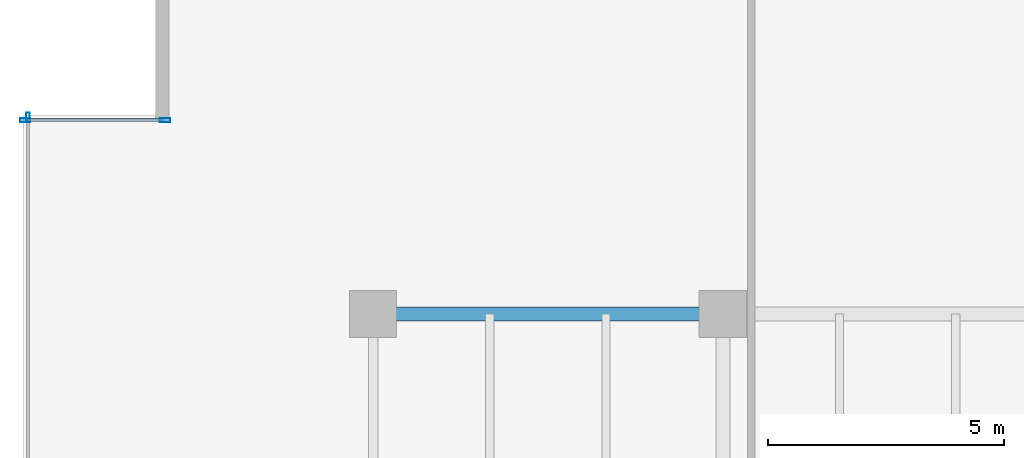
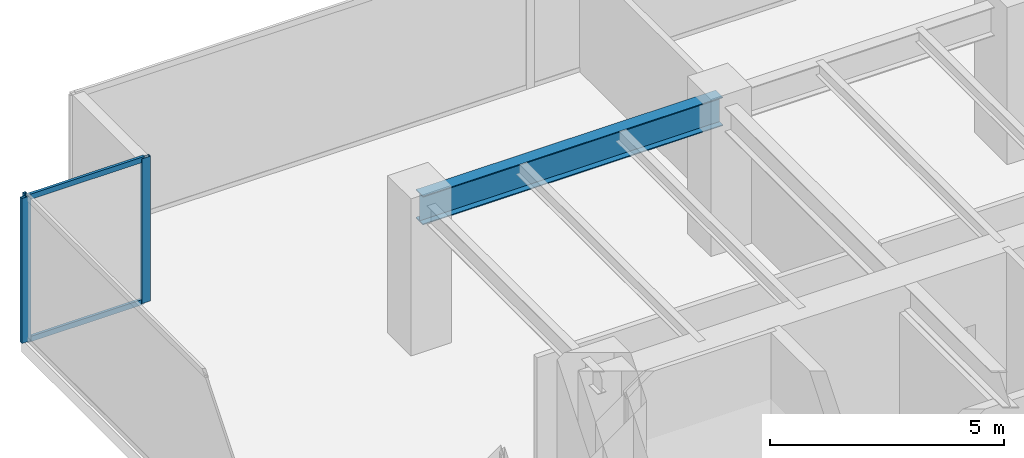
# One storey, part 12 of 35: 5 members, 1 beam, 2 elements without a shape of their own.
"""IFC4 building model written with IfcOpenShell, lengths in metres."""

import ifcopenshell
import ifcopenshell.guid

model = None  # the IFC model being written
_history = None  # IfcOwnerHistory: only IFC2X3 demands one
_inside = {}  # id of a spatial element -> (the spatial element, [elements in it])
_under = {}  # id of a project, library or spatial element -> (it, [spatial elements below it])
_declared = {}  # id of a project -> (the project, [libraries it declares])
_typed = {}  # id of a type object -> (the type object, [elements of that type])
_made_of = {}  # id of a material, layer set ... -> (it, [elements and type objects made of it])


def new_model(schema):
    """Start an empty IFC model of exactly this schema.

    Asked for "IFC4X3", IfcOpenShell would pick the latest addendum, in which some entities
    have other attributes; the version numbers below select the first issue.
    IFC2X3 requires an IfcOwnerHistory on every rooted entity: one is made here for all.
    """
    global model, _history
    if schema == "IFC4X3":
        model = ifcopenshell.file(schema_version=(4, 3, 0, 0))
    else:
        model = ifcopenshell.file(schema=schema)
    _inside.clear()
    _under.clear()
    _declared.clear()
    _typed.clear()
    _made_of.clear()
    _history = None
    if model.schema == "IFC2X3":
        org = make("IfcOrganization", Name="unknown")
        user = make(
            "IfcPersonAndOrganization",
            ThePerson=make("IfcPerson", FamilyName="unknown"),
            TheOrganization=org,
        )
        app = make(
            "IfcApplication",
            ApplicationDeveloper=org,
            Version="unknown",
            ApplicationFullName="unknown",
            ApplicationIdentifier="unknown",
        )
        _history = make(
            "IfcOwnerHistory",
            OwningUser=user,
            OwningApplication=app,
            ChangeAction="ADDED",
            CreationDate=0,
        )
    return model


def make(cls, **values):
    """One entity of the class cls with the attributes given. An attribute that is None is left unset."""
    return model.create_entity(
        cls, **{name: value for name, value in values.items() if value is not None}
    )


def rooted(cls, **values):
    """An entity with a GlobalId (a new one), such as an element, a storey or a relation."""
    return make(cls, GlobalId=ifcopenshell.guid.new(), OwnerHistory=_history, **values)


def si_unit(unit_type, name, prefix=None):
    """IfcSIUnit, for example si_unit("LENGTHUNIT", "METRE", prefix="MILLI")."""
    return make("IfcSIUnit", UnitType=unit_type, Prefix=prefix, Name=name)


def assignment(units):
    """IfcUnitAssignment: the units of a project."""
    return None if units is None else make("IfcUnitAssignment", Units=units)


def point(xyz):
    """IfcCartesianPoint."""
    return None if xyz is None else make("IfcCartesianPoint", Coordinates=xyz)


def direction(xyz):
    """IfcDirection."""
    return None if xyz is None else make("IfcDirection", DirectionRatios=xyz)


def frame(location, z_axis=None, x_axis=None):
    """IfcAxis2Placement3D, a coordinate frame: its origin and axes. An axis left out is left unset."""
    return make(
        "IfcAxis2Placement3D",
        Location=point(location),
        Axis=direction(z_axis),
        RefDirection=direction(x_axis),
    )


def frame_2d(location, x_axis=None):
    """IfcAxis2Placement2D, a coordinate frame in the plane: its origin and x axis."""
    return make(
        "IfcAxis2Placement2D", Location=point(location), RefDirection=direction(x_axis)
    )


def origin():
    """The frame at (0, 0, 0) with its axes left unset."""
    return frame((0.0, 0.0, 0.0))


def origin_2d():
    """The frame at (0, 0) in the plane with its x axis left unset."""
    return frame_2d((0.0, 0.0))


def place(relative_to, where):
    """IfcLocalPlacement: puts the frame where relative to a parent placement (None: the world)."""
    return make(
        "IfcLocalPlacement", PlacementRelTo=relative_to, RelativePlacement=where
    )


def context(
    kind, dimensions, precision=None, world=None, true_north=None, identifier=None
):
    """IfcGeometricRepresentationContext, for example the 3D "Model" context."""
    return make(
        "IfcGeometricRepresentationContext",
        ContextIdentifier=identifier,
        ContextType=kind,
        CoordinateSpaceDimension=dimensions,
        Precision=precision,
        WorldCoordinateSystem=world,
        TrueNorth=true_north,
    )


def subcontext(parent, identifier, kind, view, scale=None):
    """IfcGeometricRepresentationSubContext, for example "Body" below "Model"."""
    return make(
        "IfcGeometricRepresentationSubContext",
        ContextIdentifier=identifier,
        ContextType=kind,
        ParentContext=parent,
        TargetScale=scale,
        TargetView=view,
    )


def project(units=None, contexts=None):
    """IfcProject with its units and contexts."""
    return rooted(
        "IfcProject",
        Name="project",
        RepresentationContexts=contexts,
        UnitsInContext=assignment(units),
    )


def spatial(cls, under=None, at=None, **own):
    """A site, building, storey or space (cls), placed at a placement, below another one or the project."""
    s = rooted(cls, ObjectPlacement=at, **own)
    if under is not None:
        _under.setdefault(under.id(), (under, []))[1].append(s)
    return s


def profile(cls, at=None, kind="AREA", **sizes):
    """A parametric profile (cls). Its sizes go by their IFC names, for example OverallWidth=200.0."""
    return make(cls, ProfileType=kind, Position=at, **sizes)


def hollow_rectangle(**sizes):
    """IfcRectangleHollowProfileDef."""
    return profile("IfcRectangleHollowProfileDef", **sizes)


def i_section(**sizes):
    """IfcIShapeProfileDef."""
    return profile("IfcIShapeProfileDef", **sizes)


def extrude(swept, where, along, depth):
    """IfcExtrudedAreaSolid: the profile swept, set in the frame where, extruded along a direction by depth."""
    return make(
        "IfcExtrudedAreaSolid",
        SweptArea=swept,
        Position=where,
        ExtrudedDirection=direction(along),
        Depth=depth,
    )


def shape(context_of_items, identifier, shape_type, items):
    """IfcShapeRepresentation: the items that make up one representation, for example the "Body"."""
    return make(
        "IfcShapeRepresentation",
        ContextOfItems=context_of_items,
        RepresentationIdentifier=identifier,
        RepresentationType=shape_type,
        Items=items,
    )


def source(mapping_origin, context_of_items, identifier, shape_type, items):
    """IfcRepresentationMap: a shape defined once, which mapped items show again and again."""
    return make(
        "IfcRepresentationMap",
        MappingOrigin=mapping_origin,
        MappedRepresentation=shape(context_of_items, identifier, shape_type, items),
    )


def transform(
    local_origin,
    x_axis=None,
    y_axis=None,
    z_axis=None,
    scale=None,
    scale2=None,
    scale3=None,
    uniform=True,
):
    """IfcCartesianTransformationOperator3D, or its non-uniform kind. x_axis, y_axis, z_axis: its Axis1, 2, 3."""
    if uniform:
        return make(
            "IfcCartesianTransformationOperator3D",
            Axis1=direction(x_axis),
            Axis2=direction(y_axis),
            LocalOrigin=point(local_origin),
            Scale=scale,
            Axis3=direction(z_axis),
        )
    return make(
        "IfcCartesianTransformationOperator3DnonUniform",
        Axis1=direction(x_axis),
        Axis2=direction(y_axis),
        LocalOrigin=point(local_origin),
        Scale=scale,
        Axis3=direction(z_axis),
        Scale2=scale2,
        Scale3=scale3,
    )


def mapped(mapping_source, mapping_target):
    """IfcMappedItem: shows the shape of a source again, moved by a transform."""
    return make(
        "IfcMappedItem", MappingSource=mapping_source, MappingTarget=mapping_target
    )


def material(Name=None, Category=None):
    """IfcMaterial."""
    return make("IfcMaterial", Name=Name, Category=Category)


def layer(
    of_material, thickness, ventilated=None, Name=None, Category=None, Priority=None
):
    """IfcMaterialLayer: one layer of a wall or slab, of a material (None: an air gap)."""
    return make(
        "IfcMaterialLayer",
        Material=of_material,
        LayerThickness=thickness,
        IsVentilated=ventilated,
        Name=Name,
        Category=Category,
        Priority=Priority,
    )


def layer_set(layers, Name=None):
    """IfcMaterialLayerSet."""
    return make("IfcMaterialLayerSet", MaterialLayers=layers, LayerSetName=Name)


def material_profile(
    of_material, cross_section, Name=None, Category=None, Priority=None
):
    """IfcMaterialProfile: a cross section and its material."""
    return make(
        "IfcMaterialProfile",
        Name=Name,
        Material=of_material,
        Profile=cross_section,
        Priority=Priority,
        Category=Category,
    )


def profile_set(profiles, Name=None, composite=None):
    """IfcMaterialProfileSet."""
    return make(
        "IfcMaterialProfileSet",
        Name=Name,
        MaterialProfiles=profiles,
        CompositeProfile=composite,
    )


def made_of(thing, what):
    """Note that an element or type object is made of a material, layer set ...; save() writes the relation."""
    if what is not None:
        _made_of.setdefault(what.id(), (what, []))[1].append(thing)
    return thing


def type_object(cls, material=None, **own):
    """A type object (cls), such as IfcWallType, which elements share."""
    return made_of(rooted(cls, **own), material)


def type_shapes(of_type, sources):
    """Give a type object the sources (RepresentationMaps) that its elements show as mapped items."""
    of_type.RepresentationMaps = sources


def element(
    cls,
    number,
    at=None,
    inside=None,
    cuts=None,
    type_object=None,
    material=None,
    context=None,
    identifier="Body",
    shape_type=None,
    held_by="IfcProductDefinitionShape",
    body=None,
    shapes=None,
    **own,
):
    """One element of the class cls, such as IfcWall. Its Tag is "e" and its number.

    at: its placement. inside: the storey or other place that contains it. cuts: it is an
    opening in that element (IfcRelVoidsElement). A single representation is given by context,
    identifier, shape_type and body (its items); several are given by shapes. held_by: the class
    of the entity that holds the representations. save() writes the other relations.
    """
    e = rooted(cls, Tag="e%d" % number, ObjectPlacement=at, **own)
    if body is not None:
        shapes = [shape(context, identifier, shape_type, body)]
    if shapes is not None:
        e.Representation = make(held_by, Representations=shapes)
    if inside is not None:
        _inside.setdefault(inside.id(), (inside, []))[1].append(e)
    if cuts is not None:
        rooted(
            "IfcRelVoidsElement", RelatingBuildingElement=cuts, RelatedOpeningElement=e
        )
    if type_object is not None:
        _typed.setdefault(type_object.id(), (type_object, []))[1].append(e)
    return made_of(e, material)


def aggregate(whole, parts):
    """IfcRelAggregates: a whole, such as a stair, and the parts it consists of."""
    return rooted("IfcRelAggregates", RelatingObject=whole, RelatedObjects=parts)


def save(model, path):
    """Write the relations noted so far, then the file.

    IfcRelAggregates (storeys below a building ...), IfcRelContainedInSpatialStructure (elements
    in a storey), IfcRelDefinesByType, IfcRelAssociatesMaterial and IfcRelDeclares: one each for
    every whole, place, type object, material and project.
    """
    for whole, parts in _under.values():
        aggregate(whole, parts)
    for where, things in _inside.values():
        rooted(
            "IfcRelContainedInSpatialStructure",
            RelatedElements=things,
            RelatingStructure=where,
        )
    for kind, things in _typed.values():
        rooted("IfcRelDefinesByType", RelatedObjects=things, RelatingType=kind)
    for what, things in _made_of.values():
        rooted("IfcRelAssociatesMaterial", RelatedObjects=things, RelatingMaterial=what)
    for by, libraries in _declared.values():
        rooted("IfcRelDeclares", RelatingContext=by, RelatedDefinitions=libraries)
    model.write(path)


model = new_model("IFC4")

# Units and contexts
model_context = context("Model", 3, precision=1e-05, world=origin(), true_north=direction((0.0, 1.0)))
body_context = subcontext(model_context, "Body", "Model", "MODEL_VIEW")
ifc_project = project(units=[si_unit("LENGTHUNIT", "METRE"), si_unit("AREAUNIT", "SQUARE_METRE"), si_unit("VOLUMEUNIT", "CUBIC_METRE"), si_unit("PLANEANGLEUNIT", "RADIAN"), si_unit("MASSUNIT", "GRAM", prefix="KILO")], contexts=[model_context])

# Site, building, storey
site_placement = place(None, origin())
site = spatial("IfcSite", under=ifc_project, at=site_placement, CompositionType="ELEMENT")
building_placement = place(site_placement, origin())
building = spatial("IfcBuilding", under=site, at=building_placement, Name="Haelvirn Gate Laboratories", CompositionType="ELEMENT")
storey_placement = place(building_placement, frame((0.0, 0.0, 70.300048828125)))
storey = spatial("IfcBuildingStorey", under=building, at=storey_placement, Name="L17", CompositionType="ELEMENT", Elevation=70.300048828125)

# Beam
ifc_material_1 = material(Name="Steel SM355", Category="steel")
ifc_material_profile_1 = material_profile(ifc_material_1, i_section(OverallWidth=0.300048828125, OverallDepth=0.75, WebThickness=0.013916015625, FlangeThickness=0.02392578125, at=origin_2d()), Name="H-750x300x14x24")
ifc_profile_set_1 = profile_set([ifc_material_profile_1], Name="Steel SM355")
beam_type = type_object("IfcBeamType", Name="BM-G-750", PredefinedType="BEAM", material=ifc_profile_set_1)
shared_shape_1 = source(origin(), body_context, "Body", "SweptSolid", [
    extrude(i_section(OverallWidth=0.300048828125, OverallDepth=0.75, WebThickness=0.013916015625, FlangeThickness=0.02392578125, at=origin_2d()), origin(), (0.0, 0.0, 1.0), 7.400146484375),
])
type_shapes(beam_type, [shared_shape_1])
beam_placement = place(storey_placement, frame((7.39990234375, 41.60009765625, 3.405029296875), z_axis=(1.0, 0.0, 0.0), x_axis=(0.0, 1.0, 0.0)))
element("IfcBeam", 1, at=beam_placement, inside=storey, type_object=beam_type, Name="L17 Primary Girder Y41.6 (7.4-14.8)", PredefinedType="BEAM", context=body_context, shape_type="MappedRepresentation", body=[
    mapped(shared_shape_1, transform((0.0, 0.0, 0.0), scale=1.0)),
])

# Curtain wall, member
ifc_material_2 = material(Name="Anodised bronze unitised aluminium & triple low-E glass", Category="aluminium")
ifc_layer_1 = layer(ifc_material_2, 0.18408203125, Name="CW-SYS-2")
ifc_layer_set_1 = layer_set([ifc_layer_1], Name="Anodised bronze unitised aluminium & triple low-E glass")
curtain_wall_type_1 = type_object("IfcCurtainWallType", Name="CW-SYS-2", PredefinedType="NOTDEFINED", material=ifc_layer_set_1)
curtain_wall_1_placement = place(storey_placement, origin())
curtain_wall_1 = element("IfcCurtainWall", 2, at=curtain_wall_1_placement, inside=storey, type_object=curtain_wall_type_1, Name="L17 Unitised Curtain Wall CW-L17-P0-E17", PredefinedType="NOTDEFINED")
ifc_material_3 = material(Name="Extruded aluminium 6063-T6 (anodised bronze)", Category="aluminium")
ifc_material_profile_2 = material_profile(ifc_material_3, hollow_rectangle(XDim=0.074951171875, YDim=0.199951171875, WallThickness=0.0048828125, at=origin_2d()), Name="CWM-200x75x5")
ifc_profile_set_2 = profile_set([ifc_material_profile_2], Name="Extruded aluminium 6063-T6 (anodised bronze)")
member_type_1 = type_object("IfcMemberType", Name="CWM-T200", PredefinedType="MULLION", material=ifc_profile_set_2)
shared_shape_2 = source(origin(), body_context, "Body", "SweptSolid", [
    extrude(hollow_rectangle(XDim=0.074951171875, YDim=0.199951171875, WallThickness=0.0048828125, at=origin_2d()), origin(), (0.0, 0.0, 1.0), 3.780029296875),
])
type_shapes(member_type_1, [shared_shape_2])
member_1_placement = place(storey_placement, frame((0.10009765625, 45.762451171875, 0.0), z_axis=(0.0, 0.0, 1.0), x_axis=(1.0, 0.0, 0.0)))
member_1 = element("IfcMember", 3, at=member_1_placement, type_object=member_type_1, Name="CW2 mullion 1", PredefinedType="MULLION", context=body_context, shape_type="MappedRepresentation", body=[
    mapped(shared_shape_2, transform((0.0, 0.0, 0.0), scale=1.0)),
])
aggregate(curtain_wall_1, [member_1])

# Curtain wall, members
ifc_layer_2 = layer(ifc_material_2, 0.181884765625, Name="CW-SYS-5")
ifc_layer_set_2 = layer_set([ifc_layer_2], Name="Anodised bronze unitised aluminium & triple low-E glass")
curtain_wall_type_2 = type_object("IfcCurtainWallType", Name="CW-SYS-5", PredefinedType="NOTDEFINED", material=ifc_layer_set_2)
curtain_wall_2_placement = place(storey_placement, origin())
curtain_wall_2 = element("IfcCurtainWall", 4, at=curtain_wall_2_placement, inside=storey, type_object=curtain_wall_type_2, Name="L17 Unitised Curtain Wall CW-L17-P0-E16-1", PredefinedType="NOTDEFINED")
ifc_material_profile_3 = material_profile(ifc_material_3, hollow_rectangle(XDim=0.080078125, YDim=0.219970703125, WallThickness=0.006103515625, at=origin_2d()), Name="CWM-220x80x6")
ifc_profile_set_3 = profile_set([ifc_material_profile_3], Name="Extruded aluminium 6063-T6 (anodised bronze)")
member_type_2 = type_object("IfcMemberType", Name="CWM-T220", PredefinedType="MULLION", material=ifc_profile_set_3)
shared_shape_3 = source(origin(), body_context, "Body", "SweptSolid", [
    extrude(hollow_rectangle(XDim=0.080078125, YDim=0.219970703125, WallThickness=0.006103515625, at=origin_2d()), origin(), (0.0, 0.0, 1.0), 3.780029296875),
])
type_shapes(member_type_2, [shared_shape_3])
member_2_placement = place(storey_placement, frame((0.0400390625, 45.699951171875, 0.0), z_axis=(0.0, 0.0, 1.0), x_axis=(0.0, 1.0, 0.0)))
member_2 = element("IfcMember", 5, at=member_2_placement, type_object=member_type_2, Name="CW5 mullion 1", PredefinedType="MULLION", context=body_context, shape_type="MappedRepresentation", body=[
    mapped(shared_shape_3, transform((0.0, 0.0, 0.0), scale=1.0)),
])
member_3_placement = place(storey_placement, frame((3.0, 45.699951171875, 0.0), z_axis=(0.0, 0.0, 1.0), x_axis=(0.0, 1.0, 0.0)))
member_3 = element("IfcMember", 6, at=member_3_placement, type_object=member_type_2, Name="CW5 mullion 2", PredefinedType="MULLION", context=body_context, shape_type="MappedRepresentation", body=[
    mapped(shared_shape_3, transform((0.0, 0.0, 0.0), scale=1.0)),
])
ifc_material_profile_4 = material_profile(ifc_material_3, hollow_rectangle(XDim=0.06494140625, YDim=0.139892578125, WallThickness=0.00390625, at=origin_2d()), Name="CWT-140x65x4")
ifc_profile_set_4 = profile_set([ifc_material_profile_4], Name="Extruded aluminium 6063-T6 (anodised bronze)")
member_type_3 = type_object("IfcMemberType", Name="CWT-T140", PredefinedType="USERDEFINED", material=ifc_profile_set_4)
shared_shape_4 = source(origin(), body_context, "Body", "SweptSolid", [
    extrude(hollow_rectangle(XDim=0.06494140625, YDim=0.139892578125, WallThickness=0.00390625, at=origin_2d()), origin(), (0.0, 0.0, 1.0), 2.8798828125),
])
type_shapes(member_type_3, [shared_shape_4])
member_4_placement = place(storey_placement, frame((0.080078125, 45.699951171875, 0.032470703125), z_axis=(1.0, 0.0, 0.0), x_axis=(0.0, 1.0, 0.0)))
member_4 = element("IfcMember", 7, at=member_4_placement, type_object=member_type_3, Name="CW5 transom 1.1", ObjectType="TRANSOM", PredefinedType="USERDEFINED", context=body_context, shape_type="MappedRepresentation", body=[
    mapped(shared_shape_4, transform((0.0, 0.0, 0.0), scale=1.0)),
])
member_5_placement = place(storey_placement, frame((0.080078125, 45.699951171875, 3.74755859375), z_axis=(1.0, 0.0, 0.0), x_axis=(0.0, 1.0, 0.0)))
member_5 = element("IfcMember", 8, at=member_5_placement, type_object=member_type_3, Name="CW5 transom 1.2", ObjectType="TRANSOM", PredefinedType="USERDEFINED", context=body_context, shape_type="MappedRepresentation", body=[
    mapped(shared_shape_4, transform((0.0, 0.0, 0.0), scale=1.0)),
])
aggregate(curtain_wall_2, [member_2, member_3, member_4, member_5])

save(model, "model.ifc")
